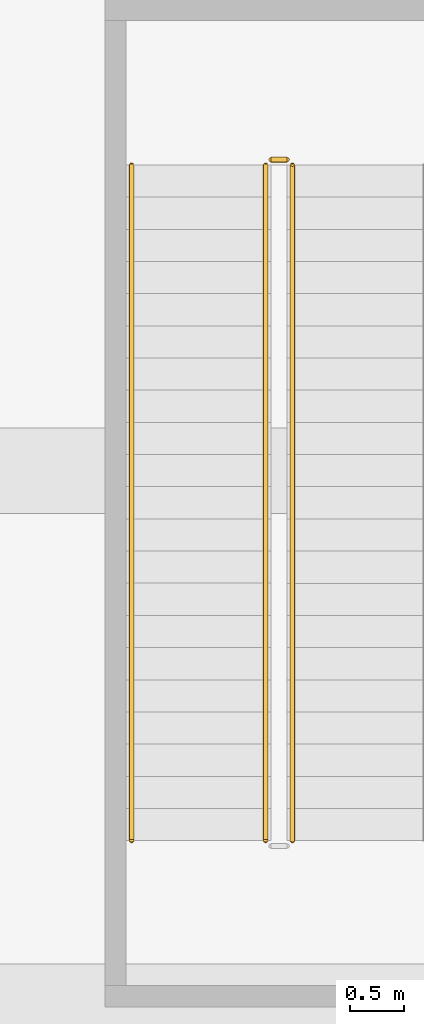
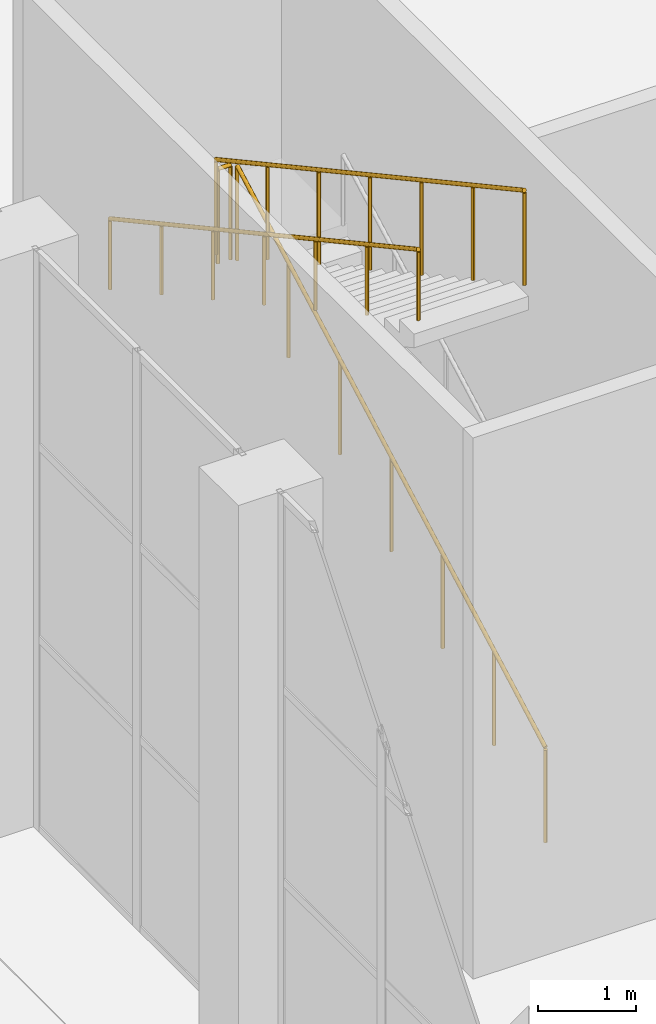
# One storey, part 221 of 239: 4 railings.
"""IFC4 building model written with IfcOpenShell, lengths in metres."""

from ifc_helpers import new_model, si_unit, direction, frame, origin, origin_2d, place, context, subcontext, project, spatial, circle, extrude, material, type_object, element, save


model = new_model("IFC4")

# Units and contexts
model_context = context("Model", 3, precision=1e-05, world=origin(), true_north=direction((0.0, 1.0)))
body_context = subcontext(model_context, "Body", "Model", "MODEL_VIEW")
ifc_project = project(units=[si_unit("LENGTHUNIT", "METRE"), si_unit("AREAUNIT", "SQUARE_METRE"), si_unit("VOLUMEUNIT", "CUBIC_METRE"), si_unit("PLANEANGLEUNIT", "RADIAN"), si_unit("MASSUNIT", "GRAM", prefix="KILO")], contexts=[model_context])

# Site, building, storey
site_placement = place(None, origin())
site = spatial("IfcSite", under=ifc_project, at=site_placement, CompositionType="ELEMENT")
building_placement = place(site_placement, origin())
building = spatial("IfcBuilding", under=site, at=building_placement, Name="Okhra Congress Centre", CompositionType="ELEMENT")
storey_placement = place(building_placement, origin())
storey = spatial("IfcBuildingStorey", under=building, at=storey_placement, Name="L00", CompositionType="ELEMENT", Elevation=0.0)

# Railings
ifc_material_1 = material(Name="Painted steel tube handrail on wall brackets", Category="steel")
railing_type_1 = type_object("IfcRailingType", Name="Steel handrail 900", PredefinedType="HANDRAIL", material=ifc_material_1)
railing_1_placement = place(storey_placement, frame((158.25, 103.85009765625, 3.763671875)))
element("IfcRailing", 1, at=railing_1_placement, inside=storey, type_object=railing_type_1, Name="L00 WG1 stair handrail 2", PredefinedType="HANDRAIL", context=body_context, shape_type="SweptSolid", body=[
    extrude(circle(Radius=0.02392578125, at=origin_2d()), frame((0.0, 0.0, 0.8759765625), z_axis=(0.0, -0.877902073589, 0.478840212585), x_axis=(1.0, 0.0, 0.0)), (0.0, 0.0, 1.0), 7.17626953125),
    extrude(circle(Radius=0.02099609375, at=origin_2d()), origin(), (0.0, 0.0, 1.0), 0.851806640625),
    extrude(circle(Radius=0.02099609375, at=origin_2d()), frame((0.0, -1.050048828125, 0.57275390625)), (0.0, 0.0, 1.0), 0.851806640625),
    extrude(circle(Radius=0.02099609375, at=origin_2d()), frame((0.0, -2.10009765625, 1.1455078125)), (0.0, 0.0, 1.0), 0.851806640625),
    extrude(circle(Radius=0.02099609375, at=origin_2d()), frame((0.0, -3.14990234375, 1.71826171875)), (0.0, 0.0, 1.0), 0.851806640625),
    extrude(circle(Radius=0.02099609375, at=origin_2d()), frame((0.0, -4.199951171875, 2.290771484375)), (0.0, 0.0, 1.0), 0.851806640625),
    extrude(circle(Radius=0.02099609375, at=origin_2d()), frame((0.0, -5.25, 2.863525390625)), (0.0, 0.0, 1.0), 0.851806640625),
    extrude(circle(Radius=0.02099609375, at=origin_2d()), frame((0.0, -6.300048828125, 3.436279296875)), (0.0, 0.0, 1.0), 0.851806640625),
])
ifc_material_2 = material(Name="Painted steel tube guard with vertical steel balusters", Category="steel")
railing_type_2 = type_object("IfcRailingType", Name="Steel stair guard 1200", PredefinedType="GUARDRAIL", material=ifc_material_2)
railing_2_placement = place(storey_placement, frame((159.75, 97.550048828125, 0.16357421875)))
element("IfcRailing", 2, at=railing_2_placement, inside=storey, type_object=railing_type_2, Name="L00 WG1 stair guard 1", PredefinedType="GUARDRAIL", context=body_context, shape_type="SweptSolid", body=[
    extrude(circle(Radius=0.02392578125, at=origin_2d()), frame((0.0, 0.0, 1.17578125), z_axis=(0.0, 0.877887772019, 0.478866432046), x_axis=(-1.0, 0.0, 0.0)), (0.0, 0.0, 1.0), 7.17626953125),
    extrude(circle(Radius=0.02099609375, at=origin_2d()), origin(), (0.0, 0.0, 1.0), 1.15185546875),
    extrude(circle(Radius=0.02099609375, at=origin_2d()), frame((0.0, 1.050048828125, 0.57275390625)), (0.0, 0.0, 1.0), 1.15185546875),
    extrude(circle(Radius=0.02099609375, at=origin_2d()), frame((0.0, 2.10009765625, 1.1455078125)), (0.0, 0.0, 1.0), 1.15185546875),
    extrude(circle(Radius=0.02099609375, at=origin_2d()), frame((0.0, 3.14990234375, 1.71826171875)), (0.0, 0.0, 1.0), 1.15185546875),
    extrude(circle(Radius=0.02099609375, at=origin_2d()), frame((0.0, 4.199951171875, 2.291015625)), (0.0, 0.0, 1.0), 1.15185546875),
    extrude(circle(Radius=0.02099609375, at=origin_2d()), frame((0.0, 5.25, 2.86376953125)), (0.0, 0.0, 1.0), 1.15185546875),
    extrude(circle(Radius=0.02099609375, at=origin_2d()), frame((0.0, 6.300048828125, 3.4365234375)), (0.0, 0.0, 1.0), 1.15185546875),
])
railing_3_placement = place(storey_placement, frame((159.699951171875, 103.89990234375, 3.60009765625)))
element("IfcRailing", 3, at=railing_3_placement, inside=storey, type_object=railing_type_2, Name="L00 WG1 stair guard 2", PredefinedType="GUARDRAIL", context=body_context, shape_type="SweptSolid", body=[
    extrude(circle(Radius=0.02392578125, at=origin_2d()), frame((0.0, 0.0, 1.17578125), z_axis=(-1.0, 0.0, 0.0), x_axis=(0.0, -1.0, 0.0)), (0.0, 0.0, 1.0), 0.14990234375),
    extrude(circle(Radius=0.02099609375, at=origin_2d()), origin(), (0.0, 0.0, 1.0), 1.15185546875),
    extrude(circle(Radius=0.02099609375, at=origin_2d()), frame((-0.14990234375, 0.0, 0.0)), (0.0, 0.0, 1.0), 1.15185546875),
])
railing_4_placement = place(storey_placement, frame((159.5, 103.85009765625, 3.763671875)))
element("IfcRailing", 4, at=railing_4_placement, inside=storey, type_object=railing_type_2, Name="L00 WG1 stair guard 3", PredefinedType="GUARDRAIL", context=body_context, shape_type="SweptSolid", body=[
    extrude(circle(Radius=0.02392578125, at=origin_2d()), frame((0.0, 0.0, 1.17578125), z_axis=(0.0, -0.877902073589, 0.478840212585), x_axis=(1.0, 0.0, 0.0)), (0.0, 0.0, 1.0), 7.17626953125),
    extrude(circle(Radius=0.02099609375, at=origin_2d()), origin(), (0.0, 0.0, 1.0), 1.15185546875),
    extrude(circle(Radius=0.02099609375, at=origin_2d()), frame((0.0, -1.050048828125, 0.57275390625)), (0.0, 0.0, 1.0), 1.15185546875),
    extrude(circle(Radius=0.02099609375, at=origin_2d()), frame((0.0, -2.10009765625, 1.1455078125)), (0.0, 0.0, 1.0), 1.15185546875),
    extrude(circle(Radius=0.02099609375, at=origin_2d()), frame((0.0, -3.14990234375, 1.71826171875)), (0.0, 0.0, 1.0), 1.15185546875),
    extrude(circle(Radius=0.02099609375, at=origin_2d()), frame((0.0, -4.199951171875, 2.290771484375)), (0.0, 0.0, 1.0), 1.15185546875),
    extrude(circle(Radius=0.02099609375, at=origin_2d()), frame((0.0, -5.25, 2.863525390625)), (0.0, 0.0, 1.0), 1.15185546875),
    extrude(circle(Radius=0.02099609375, at=origin_2d()), frame((0.0, -6.300048828125, 3.436279296875)), (0.0, 0.0, 1.0), 1.15185546875),
])

save(model, "model.ifc")
